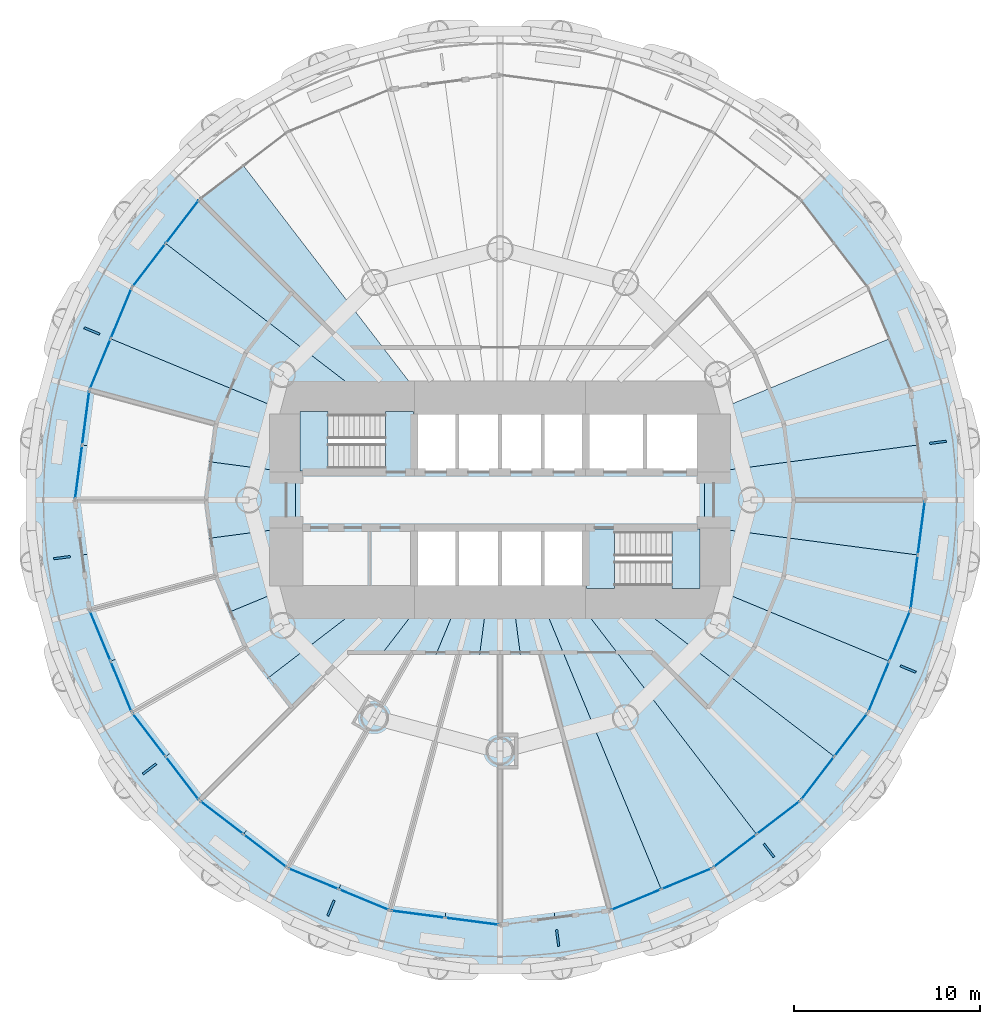
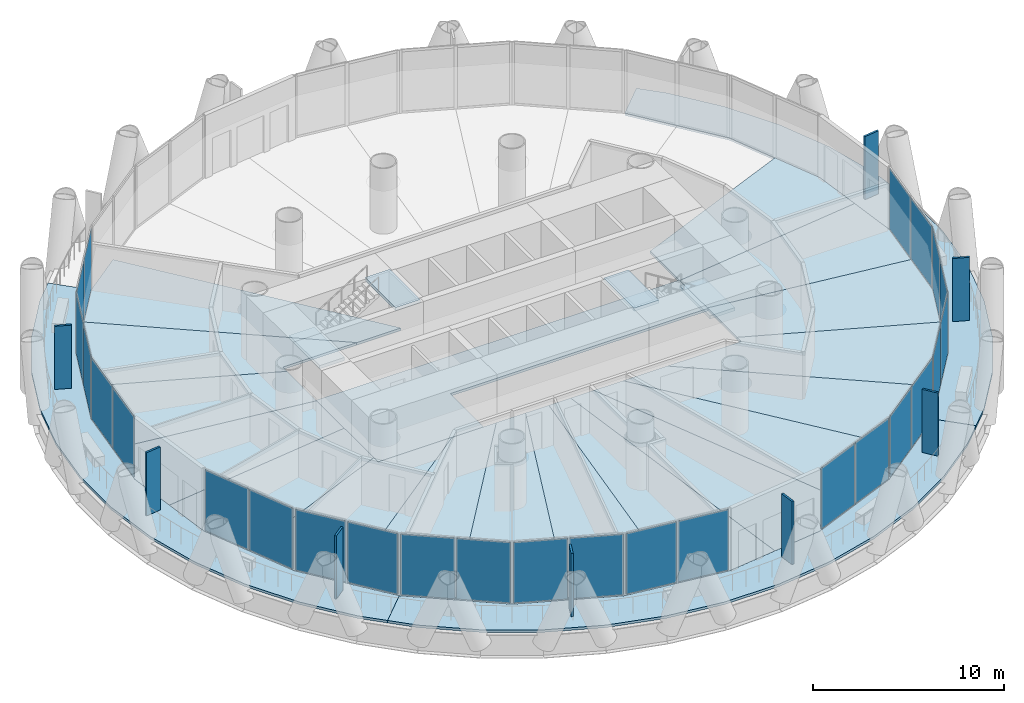
# One storey, part 8 of 16: 34 plates, 25 slabs, 15 elements without a shape of their own.
"""IFC4 building model written with IfcOpenShell, lengths in metres."""

from ifc_helpers import new_model, si_unit, direction, frame, origin, origin_2d, place, context, subcontext, project, spatial, polyline, rectangle, outline, extrude, material, layer, layer_set, type_object, element, aggregate, save


model = new_model("IFC4")

# Units and contexts
model_context = context("Model", 3, precision=1e-05, world=origin(), true_north=direction((0.0, 1.0)))
body_context = subcontext(model_context, "Body", "Model", "MODEL_VIEW")
ifc_project = project(units=[si_unit("LENGTHUNIT", "METRE"), si_unit("AREAUNIT", "SQUARE_METRE"), si_unit("VOLUMEUNIT", "CUBIC_METRE"), si_unit("PLANEANGLEUNIT", "RADIAN"), si_unit("MASSUNIT", "GRAM", prefix="KILO")], contexts=[model_context])

# Site, building, storey
site_placement = place(None, origin())
site = spatial("IfcSite", under=ifc_project, at=site_placement, CompositionType="ELEMENT")
building_placement = place(site_placement, origin())
building = spatial("IfcBuilding", under=site, at=building_placement, Name="Qaws Media Tower", CompositionType="ELEMENT")
storey_placement = place(building_placement, frame((0.0, 0.0, 63.800048828125)))
storey = spatial("IfcBuildingStorey", under=building, at=storey_placement, Name="L13", CompositionType="ELEMENT", Elevation=63.800048828125)

# Slabs
ifc_material_1 = material(Name="Concrete C35/45", Category="concrete")
ifc_layer_1 = layer(ifc_material_1, 0.159912109375)
ifc_layer_set_1 = layer_set([ifc_layer_1], Name="Composite balcony slab 160")
slab_type_1 = type_object("IfcSlabType", Name="Composite balcony slab 160", PredefinedType="FLOOR", material=ifc_layer_set_1)
slab_1_placement = place(storey_placement, frame((0.0, 0.0, -0.16015625)))
element("IfcSlab", 1, at=slab_1_placement, inside=storey, type_object=slab_type_1, Name="S2 balcony slab L13 R10 to R16, movement joints on R10 and R16", PredefinedType="FLOOR", context=body_context, shape_type="SweptSolid", body=[
    extrude(outline(polyline([(41.01611328125, 33.3515625), (39.00537109375, 35.971923828125), (37.35400390625, 38.832275390625), (36.090087890625, 41.8837890625), (35.235107421875, 45.073974609375), (34.80419921875, 48.3486328125), (34.80419921875, 51.6513671875), (35.235107421875, 54.926025390625), (36.090087890625, 58.1162109375), (37.35400390625, 61.167724609375), (39.00537109375, 64.028076171875), (41.01611328125, 66.6484375), (42.183837890625, 67.816162109375), (43.842529296875, 66.157470703125), (40.211181640625, 61.425048828125), (37.9287109375, 55.9140625), (37.14990234375, 50.0), (37.9287109375, 44.0859375), (40.211181640625, 38.574951171875), (43.842529296875, 33.842529296875), (42.183837890625, 32.183837890625), (41.01611328125, 33.3515625)])), origin(), (0.0, 0.0, 1.0), 0.16015625),
])
slab_2_placement = place(storey_placement, frame((0.0, 0.0, -0.16015625)))
element("IfcSlab", 2, at=slab_2_placement, inside=storey, type_object=slab_type_1, Name="S2 balcony slab L13 R16 to R22, movement joints on R16 and R22", PredefinedType="FLOOR", context=body_context, shape_type="SweptSolid", body=[
    extrude(outline(polyline([(76.6484375, 31.01611328125), (74.028076171875, 29.00537109375), (71.167724609375, 27.35400390625), (68.1162109375, 26.090087890625), (64.926025390625, 25.235107421875), (61.6513671875, 24.80419921875), (58.3486328125, 24.80419921875), (55.073974609375, 25.235107421875), (51.8837890625, 26.090087890625), (48.832275390625, 27.35400390625), (45.971923828125, 29.00537109375), (43.3515625, 31.01611328125), (42.183837890625, 32.183837890625), (43.842529296875, 33.842529296875), (48.574951171875, 30.211181640625), (54.0859375, 27.9287109375), (60.0, 27.14990234375), (65.9140625, 27.9287109375), (71.425048828125, 30.211181640625), (76.157470703125, 33.842529296875), (77.816162109375, 32.183837890625), (76.6484375, 31.01611328125)])), origin(), (0.0, 0.0, 1.0), 0.16015625),
])
slab_3_placement = place(storey_placement, frame((0.0, 0.0, -0.16015625)))
element("IfcSlab", 3, at=slab_3_placement, inside=storey, type_object=slab_type_1, Name="S2 balcony slab L13 R22 to R04, movement joints on R22 and R04", PredefinedType="FLOOR", context=body_context, shape_type="SweptSolid", body=[
    extrude(outline(polyline([(84.764892578125, 45.073974609375), (83.909912109375, 41.8837890625), (82.64599609375, 38.832275390625), (80.99462890625, 35.971923828125), (78.98388671875, 33.3515625), (77.816162109375, 32.183837890625), (76.157470703125, 33.842529296875), (79.788818359375, 38.574951171875), (82.0712890625, 44.0859375), (82.85009765625, 50.0), (82.0712890625, 55.9140625), (79.788818359375, 61.425048828125), (76.157470703125, 66.157470703125), (77.816162109375, 67.816162109375), (78.98388671875, 66.6484375), (80.99462890625, 64.028076171875), (82.64599609375, 61.167724609375), (83.909912109375, 58.1162109375), (84.764892578125, 54.926025390625), (85.19580078125, 51.6513671875), (85.19580078125, 48.3486328125), (84.764892578125, 45.073974609375)])), origin(), (0.0, 0.0, 1.0), 0.16015625),
])
ifc_material_2 = material(Name="Concrete C35/45", Category="concrete")
ifc_layer_2 = layer(ifc_material_2, 0.159912109375)
ifc_layer_set_2 = layer_set([ifc_layer_2], Name="Composite floor slab 160")
slab_type_2 = type_object("IfcSlabType", Name="Composite floor slab 160", PredefinedType="FLOOR", material=ifc_layer_set_2)
slab_4_placement = place(storey_placement, frame((0.0, 0.0, -0.16015625)))
element("IfcSlab", 4, at=slab_4_placement, inside=storey, type_object=slab_type_2, Name="S1 core floor slab L13", PredefinedType="FLOOR", context=body_context, shape_type="SweptSolid", body=[
    extrude(outline(polyline([(71.0, 51.5), (71.0, 48.5), (55.39990234375, 48.5), (55.39990234375, 45.0), (49.0, 45.0), (49.0, 51.5), (71.0, 51.5)])), origin(), (0.0, 0.0, 1.0), 0.16015625),
])
slab_5_placement = place(storey_placement, frame((0.0, 0.0, -0.16015625)))
element("IfcSlab", 5, at=slab_5_placement, inside=storey, type_object=slab_type_2, Name="S1 floor panel L13 on R01", PredefinedType="FLOOR", context=body_context, shape_type="SweptSolid", body=[
    extrude(outline(polyline([(82.85009765625, 50.0), (82.460693359375, 47.04296875), (71.0, 48.5517578125), (71.0, 51.4482421875), (82.460693359375, 52.95703125), (82.85009765625, 50.0)])), origin(), (0.0, 0.0, 1.0), 0.16015625),
])
slab_6_placement = place(storey_placement, frame((0.0, 0.0, -0.16015625)))
element("IfcSlab", 6, at=slab_6_placement, inside=storey, type_object=slab_type_2, Name="S1 floor panel L13 on R02", PredefinedType="FLOOR", context=body_context, shape_type="SweptSolid", body=[
    extrude(outline(polyline([(82.0712890625, 55.9140625), (82.460693359375, 52.95703125), (71.0, 51.4482421875), (71.0, 54.556396484375), (80.929931640625, 58.66943359375), (82.0712890625, 55.9140625)])), origin(), (0.0, 0.0, 1.0), 0.16015625),
])
slab_7_placement = place(storey_placement, frame((0.0, 0.0, -0.16015625)))
element("IfcSlab", 7, at=slab_7_placement, inside=storey, type_object=slab_type_2, Name="S1 floor panel L13 on R10", PredefinedType="FLOOR", context=body_context, shape_type="SweptSolid", body=[
    extrude(outline(polyline([(43.842529296875, 66.157470703125), (46.208740234375, 67.972900390625), (56.163330078125, 55.0), (53.48388671875, 55.0), (42.027099609375, 63.791259765625), (43.842529296875, 66.157470703125)])), origin(), (0.0, 0.0, 1.0), 0.16015625),
])
slab_8_placement = place(storey_placement, frame((0.0, 0.0, -0.16015625)))
element("IfcSlab", 8, at=slab_8_placement, inside=storey, type_object=slab_type_2, Name="S1 floor panel L13 on R11", PredefinedType="FLOOR", context=body_context, shape_type="SweptSolid", body=[
    extrude(outline(polyline([(40.211181640625, 61.425048828125), (42.027099609375, 63.791259765625), (53.48388671875, 55.0), (49.0, 55.0), (49.0, 54.556396484375), (39.070068359375, 58.66943359375), (40.211181640625, 61.425048828125)])), origin(), (0.0, 0.0, 1.0), 0.16015625),
])
slab_9_placement = place(storey_placement, frame((0.0, 0.0, -0.16015625)))
element("IfcSlab", 9, at=slab_9_placement, inside=storey, type_object=slab_type_2, Name="S1 floor panel L13 on R12", PredefinedType="FLOOR", context=body_context, shape_type="SweptSolid", body=[
    extrude(outline(polyline([(37.9287109375, 55.9140625), (39.070068359375, 58.66943359375), (49.0, 54.556396484375), (49.0, 51.4482421875), (37.539306640625, 52.95703125), (37.9287109375, 55.9140625)])), origin(), (0.0, 0.0, 1.0), 0.16015625),
])
slab_10_placement = place(storey_placement, frame((0.0, 0.0, -0.16015625)))
element("IfcSlab", 10, at=slab_10_placement, inside=storey, type_object=slab_type_2, Name="S1 floor panel L13 on R13", PredefinedType="FLOOR", context=body_context, shape_type="SweptSolid", body=[
    extrude(outline(polyline([(37.14990234375, 50.0), (37.539306640625, 52.95703125), (49.0, 51.4482421875), (49.0, 48.5517578125), (37.539306640625, 47.04296875), (37.14990234375, 50.0)])), origin(), (0.0, 0.0, 1.0), 0.16015625),
])
slab_11_placement = place(storey_placement, frame((0.0, 0.0, -0.16015625)))
element("IfcSlab", 11, at=slab_11_placement, inside=storey, type_object=slab_type_2, Name="S1 floor panel L13 on R14", PredefinedType="FLOOR", context=body_context, shape_type="SweptSolid", body=[
    extrude(outline(polyline([(37.9287109375, 44.0859375), (37.539306640625, 47.04296875), (49.0, 48.5517578125), (49.0, 45.443603515625), (39.070068359375, 41.33056640625), (37.9287109375, 44.0859375)])), origin(), (0.0, 0.0, 1.0), 0.16015625),
])
slab_12_placement = place(storey_placement, frame((0.0, 0.0, -0.16015625)))
element("IfcSlab", 12, at=slab_12_placement, inside=storey, type_object=slab_type_2, Name="S1 floor panel L13 on R15", PredefinedType="FLOOR", context=body_context, shape_type="SweptSolid", body=[
    extrude(outline(polyline([(40.211181640625, 38.574951171875), (39.070068359375, 41.33056640625), (49.0, 45.443603515625), (49.0, 45.0), (53.48388671875, 45.0), (42.027099609375, 36.208740234375), (40.211181640625, 38.574951171875)])), origin(), (0.0, 0.0, 1.0), 0.16015625),
])
slab_13_placement = place(storey_placement, frame((0.0, 0.0, -0.16015625)))
element("IfcSlab", 13, at=slab_13_placement, inside=storey, type_object=slab_type_2, Name="S1 floor panel L13 on R16", PredefinedType="FLOOR", context=body_context, shape_type="SweptSolid", body=[
    extrude(outline(polyline([(43.842529296875, 33.842529296875), (42.027099609375, 36.208740234375), (53.48388671875, 45.0), (56.163330078125, 45.0), (46.208740234375, 32.027099609375), (43.842529296875, 33.842529296875)])), origin(), (0.0, 0.0, 1.0), 0.16015625),
])
slab_14_placement = place(storey_placement, frame((0.0, 0.0, -0.16015625)))
element("IfcSlab", 14, at=slab_14_placement, inside=storey, type_object=slab_type_2, Name="S1 floor panel L13 on R17", PredefinedType="FLOOR", context=body_context, shape_type="SweptSolid", body=[
    extrude(outline(polyline([(48.574951171875, 30.211181640625), (46.208740234375, 32.027099609375), (56.163330078125, 45.0), (57.928955078125, 45.0), (51.33056640625, 29.070068359375), (48.574951171875, 30.211181640625)])), origin(), (0.0, 0.0, 1.0), 0.16015625),
])
slab_15_placement = place(storey_placement, frame((0.0, 0.0, -0.16015625)))
element("IfcSlab", 15, at=slab_15_placement, inside=storey, type_object=slab_type_2, Name="S1 floor panel L13 on R18", PredefinedType="FLOOR", context=body_context, shape_type="SweptSolid", body=[
    extrude(outline(polyline([(54.0859375, 27.9287109375), (51.33056640625, 29.070068359375), (57.928955078125, 45.0), (59.341796875, 45.0), (57.04296875, 27.539306640625), (54.0859375, 27.9287109375)])), origin(), (0.0, 0.0, 1.0), 0.16015625),
])
slab_16_placement = place(storey_placement, frame((0.0, 0.0, -0.16015625)))
element("IfcSlab", 16, at=slab_16_placement, inside=storey, type_object=slab_type_2, Name="S1 floor panel L13 on R19", PredefinedType="FLOOR", context=body_context, shape_type="SweptSolid", body=[
    extrude(outline(polyline([(60.0, 27.14990234375), (57.04296875, 27.539306640625), (59.341796875, 45.0), (60.658203125, 45.0), (62.95703125, 27.539306640625), (60.0, 27.14990234375)])), origin(), (0.0, 0.0, 1.0), 0.16015625),
])
slab_17_placement = place(storey_placement, frame((0.0, 0.0, -0.16015625)))
element("IfcSlab", 17, at=slab_17_placement, inside=storey, type_object=slab_type_2, Name="S1 floor panel L13 on R20", PredefinedType="FLOOR", context=body_context, shape_type="SweptSolid", body=[
    extrude(outline(polyline([(65.9140625, 27.9287109375), (62.95703125, 27.539306640625), (60.658203125, 45.0), (62.071044921875, 45.0), (68.66943359375, 29.070068359375), (65.9140625, 27.9287109375)])), origin(), (0.0, 0.0, 1.0), 0.16015625),
])
slab_18_placement = place(storey_placement, frame((0.0, 0.0, -0.16015625)))
element("IfcSlab", 18, at=slab_18_placement, inside=storey, type_object=slab_type_2, Name="S1 floor panel L13 on R21", PredefinedType="FLOOR", context=body_context, shape_type="SweptSolid", body=[
    extrude(outline(polyline([(71.425048828125, 30.211181640625), (68.66943359375, 29.070068359375), (62.071044921875, 45.0), (63.836669921875, 45.0), (73.791259765625, 32.027099609375), (71.425048828125, 30.211181640625)])), origin(), (0.0, 0.0, 1.0), 0.16015625),
])
slab_19_placement = place(storey_placement, frame((0.0, 0.0, -0.16015625)))
element("IfcSlab", 19, at=slab_19_placement, inside=storey, type_object=slab_type_2, Name="S1 floor panel L13 on R22", PredefinedType="FLOOR", context=body_context, shape_type="SweptSolid", body=[
    extrude(outline(polyline([(76.157470703125, 33.842529296875), (73.791259765625, 32.027099609375), (63.836669921875, 45.0), (66.51611328125, 45.0), (77.972900390625, 36.208740234375), (76.157470703125, 33.842529296875)])), origin(), (0.0, 0.0, 1.0), 0.16015625),
])
slab_20_placement = place(storey_placement, frame((0.0, 0.0, -0.16015625)))
element("IfcSlab", 20, at=slab_20_placement, inside=storey, type_object=slab_type_2, Name="S1 floor panel L13 on R23", PredefinedType="FLOOR", context=body_context, shape_type="SweptSolid", body=[
    extrude(outline(polyline([(79.788818359375, 38.574951171875), (77.972900390625, 36.208740234375), (66.51611328125, 45.0), (71.0, 45.0), (71.0, 45.443603515625), (80.929931640625, 41.33056640625), (79.788818359375, 38.574951171875)])), origin(), (0.0, 0.0, 1.0), 0.16015625),
])
slab_21_placement = place(storey_placement, frame((0.0, 0.0, -0.16015625)))
element("IfcSlab", 21, at=slab_21_placement, inside=storey, type_object=slab_type_2, Name="S1 floor panel L13 on R24", PredefinedType="FLOOR", context=body_context, shape_type="SweptSolid", body=[
    extrude(outline(polyline([(80.929931640625, 41.33056640625), (71.0, 45.443603515625), (71.0, 48.5517578125), (82.460693359375, 47.04296875), (82.0712890625, 44.0859375), (80.929931640625, 41.33056640625)])), origin(), (0.0, 0.0, 1.0), 0.16015625),
])

# Curtain wall, plates
ifc_material_3 = material(Name="Aluminium and clear glass", Category="aluminium")
curtain_wall_type = type_object("IfcCurtainWallType", Name="Unitised curtain wall CW-A", PredefinedType="NOTDEFINED", material=ifc_material_3)
curtain_wall_1_placement = place(storey_placement, origin())
curtain_wall_1 = element("IfcCurtainWall", 22, at=curtain_wall_1_placement, inside=storey, type_object=curtain_wall_type, Name="CWA curtain wall L13-10", PredefinedType="NOTDEFINED")
ifc_material_4 = material(Name="Clear laminated double glazing", Category="glass")
ifc_layer_3 = layer(ifc_material_4, 0.031982421875)
ifc_layer_set_3 = layer_set([ifc_layer_3], Name="Curtain wall glass unit 32")
plate_type_1 = type_object("IfcPlateType", Name="Curtain wall glass unit 32", PredefinedType="CURTAIN_PANEL", material=ifc_layer_set_3)
plate_1_placement = place(storey_placement, frame((42.922607421875, 64.95849609375, 0.080078125), z_axis=(0.0, 0.0, 1.0), x_axis=(-0.608761369427, -0.79335338601, 0.0)))
plate_1 = element("IfcPlate", 23, at=plate_1_placement, type_object=plate_type_1, Name="CWA panel 1.1", PredefinedType="CURTAIN_PANEL", context=body_context, shape_type="SweptSolid", body=[
    extrude(rectangle(XDim=2.862548828125, YDim=0.031982421875, at=origin_2d()), origin(), (0.0, 0.0, 1.0), 3.8798828125),
])
plate_2_placement = place(storey_placement, frame((41.13134765625, 62.6240234375, 0.080078125), z_axis=(0.0, 0.0, 1.0), x_axis=(-0.608761369427, -0.79335338601, 0.0)))
plate_2 = element("IfcPlate", 24, at=plate_2_placement, type_object=plate_type_1, Name="CWA panel 2.1", PredefinedType="CURTAIN_PANEL", context=body_context, shape_type="SweptSolid", body=[
    extrude(rectangle(XDim=2.862548828125, YDim=0.031982421875, at=origin_2d()), origin(), (0.0, 0.0, 1.0), 3.8798828125),
])
aggregate(curtain_wall_1, [plate_1, plate_2])

curtain_wall_2_placement = place(storey_placement, origin())
curtain_wall_2 = element("IfcCurtainWall", 25, at=curtain_wall_2_placement, inside=storey, type_object=curtain_wall_type, Name="CWA curtain wall L13-11", PredefinedType="NOTDEFINED")
plate_3_placement = place(storey_placement, frame((39.633056640625, 60.02880859375, 0.080078125), z_axis=(0.0, 0.0, 1.0), x_axis=(-0.382683471145, -0.923879516448, 0.0)))
plate_3 = element("IfcPlate", 26, at=plate_3_placement, type_object=plate_type_1, Name="CWA panel 1.1", PredefinedType="CURTAIN_PANEL", context=body_context, shape_type="SweptSolid", body=[
    extrude(rectangle(XDim=2.862548828125, YDim=0.031982421875, at=origin_2d()), origin(), (0.0, 0.0, 1.0), 3.8798828125),
])
plate_4_placement = place(storey_placement, frame((38.5068359375, 57.310302734375, 0.080078125), z_axis=(0.0, 0.0, 1.0), x_axis=(-0.382683471145, -0.923879516448, 0.0)))
plate_4 = element("IfcPlate", 27, at=plate_4_placement, type_object=plate_type_1, Name="CWA panel 2.1", PredefinedType="CURTAIN_PANEL", context=body_context, shape_type="SweptSolid", body=[
    extrude(rectangle(XDim=2.862548828125, YDim=0.031982421875, at=origin_2d()), origin(), (0.0, 0.0, 1.0), 3.8798828125),
])
aggregate(curtain_wall_2, [plate_3, plate_4])

curtain_wall_3_placement = place(storey_placement, origin())
curtain_wall_3 = element("IfcCurtainWall", 28, at=curtain_wall_3_placement, inside=storey, type_object=curtain_wall_type, Name="CWA curtain wall L13-12", PredefinedType="NOTDEFINED")
plate_5_placement = place(storey_placement, frame((37.7314453125, 54.415771484375, 0.080078125), z_axis=(0.0, 0.0, 1.0), x_axis=(-0.130526217674, -0.991444858023, 0.0)))
plate_5 = element("IfcPlate", 29, at=plate_5_placement, type_object=plate_type_1, Name="CWA panel 1.1", PredefinedType="CURTAIN_PANEL", context=body_context, shape_type="SweptSolid", body=[
    extrude(rectangle(XDim=2.862548828125, YDim=0.031982421875, at=origin_2d()), origin(), (0.0, 0.0, 1.0), 3.8798828125),
])
plate_6_placement = place(storey_placement, frame((37.34716796875, 51.498291015625, 0.080078125), z_axis=(0.0, 0.0, 1.0), x_axis=(-0.130526217674, -0.991444858023, 0.0)))
plate_6 = element("IfcPlate", 30, at=plate_6_placement, type_object=plate_type_1, Name="CWA panel 2.1", PredefinedType="CURTAIN_PANEL", context=body_context, shape_type="SweptSolid", body=[
    extrude(rectangle(XDim=2.862548828125, YDim=0.031982421875, at=origin_2d()), origin(), (0.0, 0.0, 1.0), 3.8798828125),
])
aggregate(curtain_wall_3, [plate_5, plate_6])

curtain_wall_4_placement = place(storey_placement, origin())
curtain_wall_4 = element("IfcCurtainWall", 31, at=curtain_wall_4_placement, inside=storey, type_object=curtain_wall_type, Name="CWA curtain wall L13-14", PredefinedType="NOTDEFINED")
plate_7_placement = place(storey_placement, frame((38.5068359375, 42.689697265625, 0.080078125), z_axis=(0.0, 0.0, 1.0), x_axis=(0.382683471145, -0.923879516448, 0.0)))
plate_7 = element("IfcPlate", 32, at=plate_7_placement, type_object=plate_type_1, Name="CWA panel 1.1", PredefinedType="CURTAIN_PANEL", context=body_context, shape_type="SweptSolid", body=[
    extrude(rectangle(XDim=2.862548828125, YDim=0.031982421875, at=origin_2d()), origin(), (0.0, 0.0, 1.0), 3.8798828125),
])
plate_8_placement = place(storey_placement, frame((39.633056640625, 39.97119140625, 0.080078125), z_axis=(0.0, 0.0, 1.0), x_axis=(0.382683471145, -0.923879516448, 0.0)))
plate_8 = element("IfcPlate", 33, at=plate_8_placement, type_object=plate_type_1, Name="CWA panel 2.1", PredefinedType="CURTAIN_PANEL", context=body_context, shape_type="SweptSolid", body=[
    extrude(rectangle(XDim=2.862548828125, YDim=0.031982421875, at=origin_2d()), origin(), (0.0, 0.0, 1.0), 3.8798828125),
])
aggregate(curtain_wall_4, [plate_7, plate_8])

curtain_wall_5_placement = place(storey_placement, origin())
curtain_wall_5 = element("IfcCurtainWall", 34, at=curtain_wall_5_placement, inside=storey, type_object=curtain_wall_type, Name="CWA curtain wall L13-15", PredefinedType="NOTDEFINED")
plate_9_placement = place(storey_placement, frame((41.13134765625, 37.3759765625, 0.080078125), z_axis=(0.0, 0.0, 1.0), x_axis=(0.608761369427, -0.79335338601, 0.0)))
plate_9 = element("IfcPlate", 35, at=plate_9_placement, type_object=plate_type_1, Name="CWA panel 1.1", PredefinedType="CURTAIN_PANEL", context=body_context, shape_type="SweptSolid", body=[
    extrude(rectangle(XDim=2.862548828125, YDim=0.031982421875, at=origin_2d()), origin(), (0.0, 0.0, 1.0), 3.8798828125),
])
plate_10_placement = place(storey_placement, frame((42.922607421875, 35.04150390625, 0.080078125), z_axis=(0.0, 0.0, 1.0), x_axis=(0.608761369427, -0.79335338601, 0.0)))
plate_10 = element("IfcPlate", 36, at=plate_10_placement, type_object=plate_type_1, Name="CWA panel 2.1", PredefinedType="CURTAIN_PANEL", context=body_context, shape_type="SweptSolid", body=[
    extrude(rectangle(XDim=2.862548828125, YDim=0.031982421875, at=origin_2d()), origin(), (0.0, 0.0, 1.0), 3.8798828125),
])
aggregate(curtain_wall_5, [plate_9, plate_10])

curtain_wall_6_placement = place(storey_placement, origin())
curtain_wall_6 = element("IfcCurtainWall", 37, at=curtain_wall_6_placement, inside=storey, type_object=curtain_wall_type, Name="CWA curtain wall L13-16", PredefinedType="NOTDEFINED")
plate_11_placement = place(storey_placement, frame((45.04150390625, 32.922607421875, 0.080078125), z_axis=(0.0, 0.0, 1.0), x_axis=(0.79335338601, -0.608761369427, 0.0)))
plate_11 = element("IfcPlate", 38, at=plate_11_placement, type_object=plate_type_1, Name="CWA panel 1.1", PredefinedType="CURTAIN_PANEL", context=body_context, shape_type="SweptSolid", body=[
    extrude(rectangle(XDim=2.862548828125, YDim=0.031982421875, at=origin_2d()), origin(), (0.0, 0.0, 1.0), 3.8798828125),
])
plate_12_placement = place(storey_placement, frame((47.3759765625, 31.13134765625, 0.080078125), z_axis=(0.0, 0.0, 1.0), x_axis=(0.79335338601, -0.608761369427, 0.0)))
plate_12 = element("IfcPlate", 39, at=plate_12_placement, type_object=plate_type_1, Name="CWA panel 2.1", PredefinedType="CURTAIN_PANEL", context=body_context, shape_type="SweptSolid", body=[
    extrude(rectangle(XDim=2.862548828125, YDim=0.031982421875, at=origin_2d()), origin(), (0.0, 0.0, 1.0), 3.8798828125),
])
aggregate(curtain_wall_6, [plate_11, plate_12])

curtain_wall_7_placement = place(storey_placement, origin())
curtain_wall_7 = element("IfcCurtainWall", 40, at=curtain_wall_7_placement, inside=storey, type_object=curtain_wall_type, Name="CWA curtain wall L13-17", PredefinedType="NOTDEFINED")
plate_13_placement = place(storey_placement, frame((49.97119140625, 29.633056640625, 0.080078125), z_axis=(0.0, 0.0, 1.0), x_axis=(0.923879516448, -0.382683471145, 0.0)))
plate_13 = element("IfcPlate", 41, at=plate_13_placement, type_object=plate_type_1, Name="CWA panel 1.1", PredefinedType="CURTAIN_PANEL", context=body_context, shape_type="SweptSolid", body=[
    extrude(rectangle(XDim=2.862548828125, YDim=0.031982421875, at=origin_2d()), origin(), (0.0, 0.0, 1.0), 3.8798828125),
])
plate_14_placement = place(storey_placement, frame((52.689697265625, 28.5068359375, 0.080078125), z_axis=(0.0, 0.0, 1.0), x_axis=(0.923879516448, -0.382683471145, 0.0)))
plate_14 = element("IfcPlate", 42, at=plate_14_placement, type_object=plate_type_1, Name="CWA panel 2.1", PredefinedType="CURTAIN_PANEL", context=body_context, shape_type="SweptSolid", body=[
    extrude(rectangle(XDim=2.862548828125, YDim=0.031982421875, at=origin_2d()), origin(), (0.0, 0.0, 1.0), 3.8798828125),
])
aggregate(curtain_wall_7, [plate_13, plate_14])

curtain_wall_8_placement = place(storey_placement, origin())
curtain_wall_8 = element("IfcCurtainWall", 43, at=curtain_wall_8_placement, inside=storey, type_object=curtain_wall_type, Name="CWA curtain wall L13-18", PredefinedType="NOTDEFINED")
plate_15_placement = place(storey_placement, frame((55.584228515625, 27.7314453125, 0.080078125), z_axis=(0.0, 0.0, 1.0), x_axis=(0.991444858023, -0.130526217674, 0.0)))
plate_15 = element("IfcPlate", 44, at=plate_15_placement, type_object=plate_type_1, Name="CWA panel 1.1", PredefinedType="CURTAIN_PANEL", context=body_context, shape_type="SweptSolid", body=[
    extrude(rectangle(XDim=2.862548828125, YDim=0.031982421875, at=origin_2d()), origin(), (0.0, 0.0, 1.0), 3.8798828125),
])
plate_16_placement = place(storey_placement, frame((58.501708984375, 27.34716796875, 0.080078125), z_axis=(0.0, 0.0, 1.0), x_axis=(0.991444858023, -0.130526217674, 0.0)))
plate_16 = element("IfcPlate", 45, at=plate_16_placement, type_object=plate_type_1, Name="CWA panel 2.1", PredefinedType="CURTAIN_PANEL", context=body_context, shape_type="SweptSolid", body=[
    extrude(rectangle(XDim=2.862548828125, YDim=0.031982421875, at=origin_2d()), origin(), (0.0, 0.0, 1.0), 3.8798828125),
])
aggregate(curtain_wall_8, [plate_15, plate_16])

curtain_wall_9_placement = place(storey_placement, origin())
curtain_wall_9 = element("IfcCurtainWall", 46, at=curtain_wall_9_placement, inside=storey, type_object=curtain_wall_type, Name="CWA curtain wall L13-20", PredefinedType="NOTDEFINED")
plate_17_placement = place(storey_placement, frame((67.310302734375, 28.5068359375, 0.080078125), z_axis=(0.0, 0.0, 1.0), x_axis=(0.923879516448, 0.382683471145, 0.0)))
plate_17 = element("IfcPlate", 47, at=plate_17_placement, type_object=plate_type_1, Name="CWA panel 1.1", PredefinedType="CURTAIN_PANEL", context=body_context, shape_type="SweptSolid", body=[
    extrude(rectangle(XDim=2.862548828125, YDim=0.031982421875, at=origin_2d()), origin(), (0.0, 0.0, 1.0), 3.8798828125),
])
plate_18_placement = place(storey_placement, frame((70.02880859375, 29.633056640625, 0.080078125), z_axis=(0.0, 0.0, 1.0), x_axis=(0.923879516448, 0.382683471145, 0.0)))
plate_18 = element("IfcPlate", 48, at=plate_18_placement, type_object=plate_type_1, Name="CWA panel 2.1", PredefinedType="CURTAIN_PANEL", context=body_context, shape_type="SweptSolid", body=[
    extrude(rectangle(XDim=2.862548828125, YDim=0.031982421875, at=origin_2d()), origin(), (0.0, 0.0, 1.0), 3.8798828125),
])
aggregate(curtain_wall_9, [plate_17, plate_18])

curtain_wall_10_placement = place(storey_placement, origin())
curtain_wall_10 = element("IfcCurtainWall", 49, at=curtain_wall_10_placement, inside=storey, type_object=curtain_wall_type, Name="CWA curtain wall L13-21", PredefinedType="NOTDEFINED")
plate_19_placement = place(storey_placement, frame((72.6240234375, 31.13134765625, 0.080078125), z_axis=(0.0, 0.0, 1.0), x_axis=(0.79335338601, 0.608761369427, 0.0)))
plate_19 = element("IfcPlate", 50, at=plate_19_placement, type_object=plate_type_1, Name="CWA panel 1.1", PredefinedType="CURTAIN_PANEL", context=body_context, shape_type="SweptSolid", body=[
    extrude(rectangle(XDim=2.862548828125, YDim=0.031982421875, at=origin_2d()), origin(), (0.0, 0.0, 1.0), 3.8798828125),
])
plate_20_placement = place(storey_placement, frame((74.95849609375, 32.922607421875, 0.080078125), z_axis=(0.0, 0.0, 1.0), x_axis=(0.79335338601, 0.608761369427, 0.0)))
plate_20 = element("IfcPlate", 51, at=plate_20_placement, type_object=plate_type_1, Name="CWA panel 2.1", PredefinedType="CURTAIN_PANEL", context=body_context, shape_type="SweptSolid", body=[
    extrude(rectangle(XDim=2.862548828125, YDim=0.031982421875, at=origin_2d()), origin(), (0.0, 0.0, 1.0), 3.8798828125),
])
aggregate(curtain_wall_10, [plate_19, plate_20])

curtain_wall_11_placement = place(storey_placement, origin())
curtain_wall_11 = element("IfcCurtainWall", 52, at=curtain_wall_11_placement, inside=storey, type_object=curtain_wall_type, Name="CWA curtain wall L13-22", PredefinedType="NOTDEFINED")
plate_21_placement = place(storey_placement, frame((77.077392578125, 35.04150390625, 0.080078125), z_axis=(0.0, 0.0, 1.0), x_axis=(0.608761369427, 0.79335338601, 0.0)))
plate_21 = element("IfcPlate", 53, at=plate_21_placement, type_object=plate_type_1, Name="CWA panel 1.1", PredefinedType="CURTAIN_PANEL", context=body_context, shape_type="SweptSolid", body=[
    extrude(rectangle(XDim=2.862548828125, YDim=0.031982421875, at=origin_2d()), origin(), (0.0, 0.0, 1.0), 3.8798828125),
])
plate_22_placement = place(storey_placement, frame((78.86865234375, 37.3759765625, 0.080078125), z_axis=(0.0, 0.0, 1.0), x_axis=(0.608761369427, 0.79335338601, 0.0)))
plate_22 = element("IfcPlate", 54, at=plate_22_placement, type_object=plate_type_1, Name="CWA panel 2.1", PredefinedType="CURTAIN_PANEL", context=body_context, shape_type="SweptSolid", body=[
    extrude(rectangle(XDim=2.862548828125, YDim=0.031982421875, at=origin_2d()), origin(), (0.0, 0.0, 1.0), 3.8798828125),
])
aggregate(curtain_wall_11, [plate_21, plate_22])

curtain_wall_12_placement = place(storey_placement, origin())
curtain_wall_12 = element("IfcCurtainWall", 55, at=curtain_wall_12_placement, inside=storey, type_object=curtain_wall_type, Name="CWA curtain wall L13-23", PredefinedType="NOTDEFINED")
plate_23_placement = place(storey_placement, frame((80.366943359375, 39.97119140625, 0.080078125), z_axis=(0.0, 0.0, 1.0), x_axis=(0.382683471145, 0.923879516448, 0.0)))
plate_23 = element("IfcPlate", 56, at=plate_23_placement, type_object=plate_type_1, Name="CWA panel 1.1", PredefinedType="CURTAIN_PANEL", context=body_context, shape_type="SweptSolid", body=[
    extrude(rectangle(XDim=2.862548828125, YDim=0.031982421875, at=origin_2d()), origin(), (0.0, 0.0, 1.0), 3.8798828125),
])
plate_24_placement = place(storey_placement, frame((81.4931640625, 42.689697265625, 0.080078125), z_axis=(0.0, 0.0, 1.0), x_axis=(0.382683471145, 0.923879516448, 0.0)))
plate_24 = element("IfcPlate", 57, at=plate_24_placement, type_object=plate_type_1, Name="CWA panel 2.1", PredefinedType="CURTAIN_PANEL", context=body_context, shape_type="SweptSolid", body=[
    extrude(rectangle(XDim=2.862548828125, YDim=0.031982421875, at=origin_2d()), origin(), (0.0, 0.0, 1.0), 3.8798828125),
])
aggregate(curtain_wall_12, [plate_23, plate_24])

curtain_wall_13_placement = place(storey_placement, origin())
curtain_wall_13 = element("IfcCurtainWall", 58, at=curtain_wall_13_placement, inside=storey, type_object=curtain_wall_type, Name="CWA curtain wall L13-24", PredefinedType="NOTDEFINED")
plate_25_placement = place(storey_placement, frame((82.2685546875, 45.584228515625, 0.080078125), z_axis=(0.0, 0.0, 1.0), x_axis=(0.130526217674, 0.991444858023, 0.0)))
plate_25 = element("IfcPlate", 59, at=plate_25_placement, type_object=plate_type_1, Name="CWA panel 1.1", PredefinedType="CURTAIN_PANEL", context=body_context, shape_type="SweptSolid", body=[
    extrude(rectangle(XDim=2.862548828125, YDim=0.031982421875, at=origin_2d()), origin(), (0.0, 0.0, 1.0), 3.8798828125),
])
plate_26_placement = place(storey_placement, frame((82.65283203125, 48.501708984375, 0.080078125), z_axis=(0.0, 0.0, 1.0), x_axis=(0.130526217674, 0.991444858023, 0.0)))
plate_26 = element("IfcPlate", 60, at=plate_26_placement, type_object=plate_type_1, Name="CWA panel 2.1", PredefinedType="CURTAIN_PANEL", context=body_context, shape_type="SweptSolid", body=[
    extrude(rectangle(XDim=2.862548828125, YDim=0.031982421875, at=origin_2d()), origin(), (0.0, 0.0, 1.0), 3.8798828125),
])
aggregate(curtain_wall_13, [plate_25, plate_26])

# Plates
ifc_material_5 = material(Name="Precast concrete screen fin", Category="concrete")
ifc_layer_4 = layer(ifc_material_5, 0.1201171875)
ifc_layer_set_4 = layer_set([ifc_layer_4], Name="Screen fin 120x900")
plate_type_2 = type_object("IfcPlateType", Name="Screen fin 120x900", PredefinedType="USERDEFINED", material=ifc_layer_set_4)
for number, where, z_axis, x_axis, name in (
    (61, (83.546875, 53.10009765625, 0.0), (0.0, 0.0, 1.0), (0.991444861374, 0.13052619222, 0.0), "SCR1 screen fin L13-01"),
    (62, (38.057861328125, 59.088623046875, 0.0), (0.0, 0.0, 1.0), (-0.923879532511, 0.382683432365, 0.0), "SCR1 screen fin L13-06"),
    (63, (36.453125, 46.89990234375, 0.0), (0.0, 0.0, 1.0), (-0.991444861374, -0.13052619222, 0.0), "SCR1 screen fin L13-07"),
    (64, (41.157958984375, 35.5419921875, 0.0), (0.0, 0.0, 1.0), (-0.793353340291, -0.608761429009, 0.0), "SCR1 screen fin L13-08"),
    (65, (50.911376953125, 28.057861328125, 0.0), (0.0, 0.0, 1.0), (-0.382683432365, -0.923879532511, 0.0), "SCR1 screen fin L13-09"),
    (66, (63.10009765625, 26.453125, 0.0), (0.0, 0.0, 1.0), (0.13052619222, -0.991444861374, 0.0), "SCR1 screen fin L13-10"),
    (67, (74.4580078125, 31.157958984375, 0.0), (0.0, 0.0, 1.0), (0.608761429009, -0.793353340291, 0.0), "SCR1 screen fin L13-11"),
    (68, (81.942138671875, 40.911376953125, 0.0), (0.0, 0.0, 1.0), (0.923879532511, -0.382683432365, 0.0), "SCR1 screen fin L13-12"),
):
    element("IfcPlate", number, at=place(storey_placement, frame(where, z_axis=z_axis, x_axis=x_axis)), inside=storey, type_object=plate_type_2, Name=name, ObjectType="SCREEN", PredefinedType="USERDEFINED", context=body_context, shape_type="SweptSolid", body=[
        extrude(rectangle(XDim=0.89990234375, YDim=0.1201171875, at=origin_2d()), origin(), (0.0, 0.0, 1.0), 4.0400390625),
    ])

# Stair, slabs
ifc_material_6 = material(Name="Concrete C40/50", Category="concrete")
stair_type = type_object("IfcStairType", Name="Exit stair", PredefinedType="HALF_TURN_STAIR", material=ifc_material_6)
stair_1_placement = place(storey_placement, origin())
stair_1 = element("IfcStair", 69, at=stair_1_placement, inside=storey, type_object=stair_type, Name="S1 exit stair L13", PredefinedType="HALF_TURN_STAIR")
ifc_material_7 = material(Name="Concrete C40/50", Category="concrete")
ifc_layer_5 = layer(ifc_material_7, 0.199951171875)
ifc_layer_set_5 = layer_set([ifc_layer_5], Name="Stair landing 200")
slab_type_3 = type_object("IfcSlabType", Name="Stair landing 200", PredefinedType="LANDING", material=ifc_layer_set_5)
slab_22_placement = place(storey_placement, frame((0.0, 0.0, 1.89990234375)))
slab_22 = element("IfcSlab", 70, at=slab_22_placement, type_object=slab_type_3, Name="S1 landing 1", PredefinedType="LANDING", context=body_context, shape_type="SweptSolid", body=[
    extrude(outline(polyline([(49.25, 51.550048828125), (50.760009765625, 51.550048828125), (50.760009765625, 54.75), (49.25, 54.75), (49.25, 51.550048828125)])), origin(), (0.0, 0.0, 1.0), 0.199951171875),
])
slab_23_placement = place(storey_placement, frame((0.0, 0.0, 4.0)))
slab_23 = element("IfcSlab", 71, at=slab_23_placement, type_object=slab_type_3, Name="S1 landing 2", PredefinedType="LANDING", context=body_context, shape_type="SweptSolid", body=[
    extrude(outline(polyline([(53.840087890625, 51.550048828125), (55.35009765625, 51.550048828125), (55.35009765625, 54.75), (53.840087890625, 54.75), (53.840087890625, 51.550048828125)])), origin(), (0.0, 0.0, 1.0), 0.199951171875),
])
aggregate(stair_1, [slab_22, slab_23])

stair_2_placement = place(storey_placement, origin())
stair_2 = element("IfcStair", 72, at=stair_2_placement, inside=storey, type_object=stair_type, Name="S2 exit stair L13", PredefinedType="HALF_TURN_STAIR")
slab_24_placement = place(storey_placement, frame((0.0, 0.0, 1.89990234375)))
slab_24 = element("IfcSlab", 73, at=slab_24_placement, type_object=slab_type_3, Name="S2 landing 1", PredefinedType="LANDING", context=body_context, shape_type="SweptSolid", body=[
    extrude(outline(polyline([(69.239990234375, 45.25), (70.75, 45.25), (70.75, 48.449951171875), (69.239990234375, 48.449951171875), (69.239990234375, 45.25)])), origin(), (0.0, 0.0, 1.0), 0.199951171875),
])
slab_25_placement = place(storey_placement, frame((0.0, 0.0, 4.0)))
slab_25 = element("IfcSlab", 74, at=slab_25_placement, type_object=slab_type_3, Name="S2 landing 2", PredefinedType="LANDING", context=body_context, shape_type="SweptSolid", body=[
    extrude(outline(polyline([(64.64990234375, 45.25), (66.159912109375, 45.25), (66.159912109375, 48.449951171875), (64.64990234375, 48.449951171875), (64.64990234375, 45.25)])), origin(), (0.0, 0.0, 1.0), 0.199951171875),
])
aggregate(stair_2, [slab_24, slab_25])

save(model, "model.ifc")
